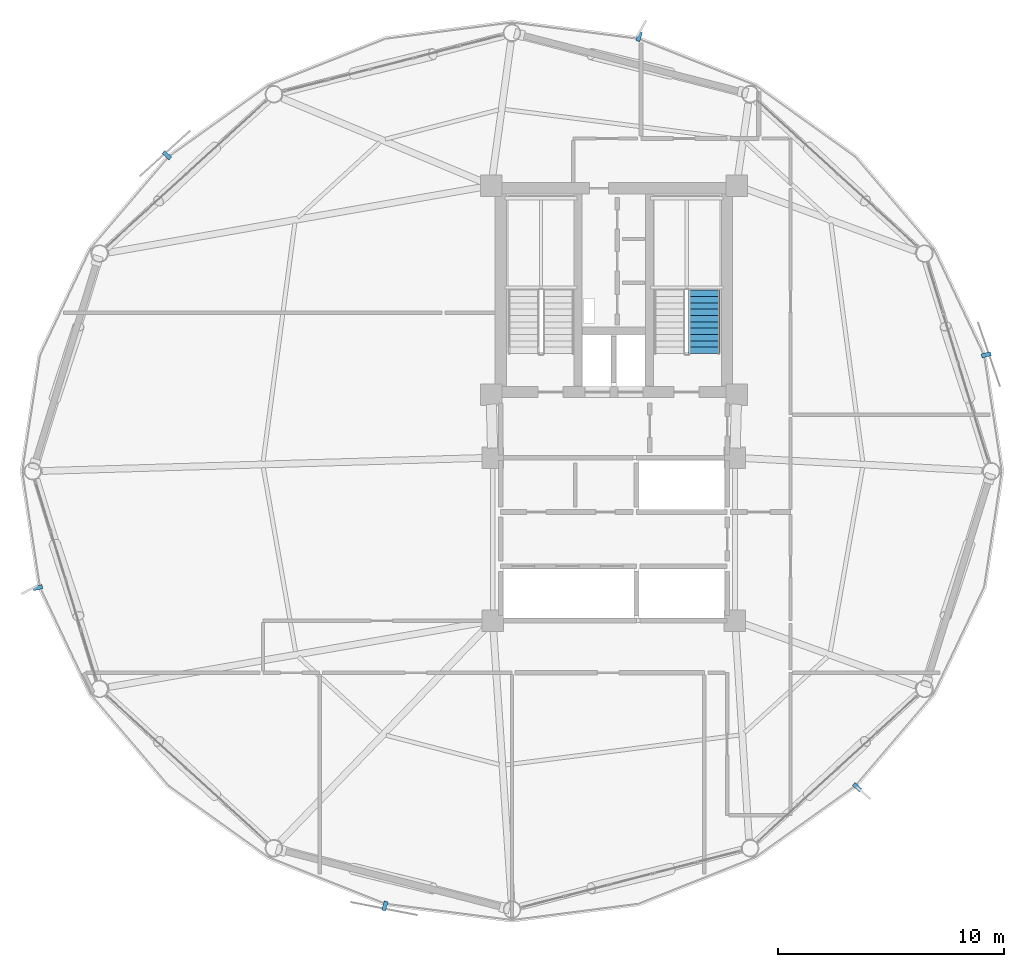
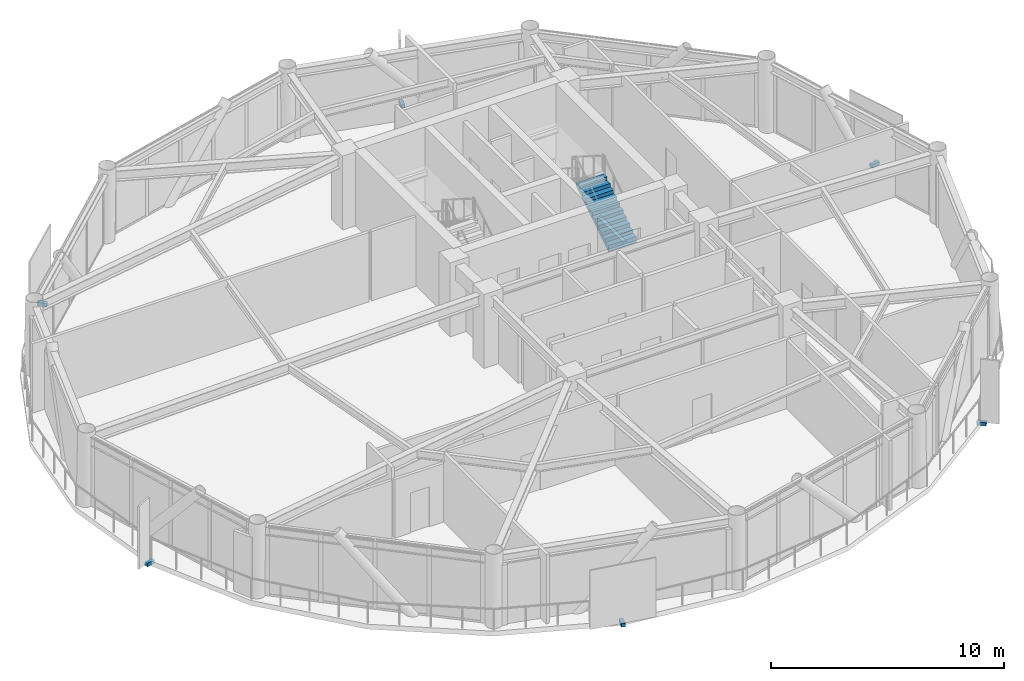
# One storey, part 22 of 25: 6 discrete accessories, 1 stair flight, 1 element without a shape of its own.
"""IFC4 building model written with IfcOpenShell, lengths in metres."""

from ifc_helpers import new_model, si_unit, direction, frame, origin, origin_2d, place, context, subcontext, project, spatial, polyline, rectangle, outline, extrude, source, transform, mapped, material, type_object, type_shapes, element, aggregate, save


model = new_model("IFC4")

# Units and contexts
model_context = context("Model", 3, precision=1e-05, world=origin(), true_north=direction((0.0, 1.0)))
body_context = subcontext(model_context, "Body", "Model", "MODEL_VIEW")
ifc_project = project(units=[si_unit("LENGTHUNIT", "METRE"), si_unit("AREAUNIT", "SQUARE_METRE"), si_unit("VOLUMEUNIT", "CUBIC_METRE"), si_unit("PLANEANGLEUNIT", "RADIAN"), si_unit("MASSUNIT", "GRAM", prefix="KILO")], contexts=[model_context])

# Site, building, storey
site_placement = place(None, origin())
site = spatial("IfcSite", under=ifc_project, at=site_placement, CompositionType="ELEMENT")
building_placement = place(site_placement, origin())
building = spatial("IfcBuilding", under=site, at=building_placement, Name="Varnakorn Sky Granary", CompositionType="ELEMENT")
storey_placement = place(building_placement, frame((0.0, 0.0, 126.60009765625)))
storey = spatial("IfcBuildingStorey", under=building, at=storey_placement, Name="L31", CompositionType="ELEMENT", Elevation=126.60009765625)

# Stair, stair flight
ifc_material_1 = material(Name="Concrete C40/50", Category="concrete")
stair_type = type_object("IfcStairType", Name="ST-MAIN-ASSEMBLY", PredefinedType="HALF_TURN_STAIR", material=ifc_material_1)
stair_placement = place(storey_placement, origin())
stair = element("IfcStair", 1, at=stair_placement, inside=storey, type_object=stair_type, Name="L31 Protected Exit Stair ST-2", PredefinedType="HALF_TURN_STAIR")
stair_flight_type = type_object("IfcStairFlightType", Name="ST-MAIN-FLIGHT", PredefinedType="STRAIGHT", material=ifc_material_1)
stair_flight_placement = place(storey_placement, frame((6.989990234375, 5.199951171875, 0.0), z_axis=(0.0, 0.0, 1.0), x_axis=(0.0, 1.0, 0.0)))
stair_flight = element("IfcStairFlight", 2, at=stair_flight_placement, type_object=stair_flight_type, Name="ST-2 flight 1", NumberOfRisers=11, NumberOfTreads=10, PredefinedType="STRAIGHT", RiserHeight=0.177272727, TreadLength=0.28, context=body_context, shape_type="SweptSolid", body=[
    extrude(outline(polyline([(0.0, -0.14990234375), (0.0, 0.0), (0.0, 0.17724609375), (0.280029296875, 0.17724609375), (0.280029296875, 0.3544921875), (0.56005859375, 0.3544921875), (0.56005859375, 0.53173828125), (0.840087890625, 0.53173828125), (0.840087890625, 0.708984375), (1.1201171875, 0.708984375), (1.1201171875, 0.886474609375), (1.39990234375, 0.886474609375), (1.39990234375, 1.063720703125), (1.679931640625, 1.063720703125), (1.679931640625, 1.240966796875), (1.9599609375, 1.240966796875), (1.9599609375, 1.418212890625), (2.239990234375, 1.418212890625), (2.239990234375, 1.595458984375), (2.52001953125, 1.595458984375), (2.52001953125, 1.772705078125), (2.800048828125, 1.772705078125), (2.800048828125, 1.949951171875), (2.800048828125, 1.59521484375), (0.050048828125, -0.14990234375), (0.0, -0.14990234375)])), frame((0.0, 0.68994140625, 0.0), z_axis=(0.0, -1.0, 0.0), x_axis=(1.0, 0.0, 0.0)), (0.0, 0.0, 1.0), 1.3798828125),
])
aggregate(stair, [stair_flight])

# Discrete accessories
ifc_material_2 = material(Name="Steel S355JR", Category="steel")
discrete_accessory_type = type_object("IfcDiscreteAccessoryType", Name="AC-BRK-01", PredefinedType="BRACKET", material=ifc_material_2)
shared_shape = source(origin(), body_context, "Body", "SweptSolid", [
    extrude(rectangle(XDim=0.179931640625, YDim=0.419921875, at=origin_2d()), origin(), (0.0, 0.0, 1.0), 0.179931640625),
])
type_shapes(discrete_accessory_type, [shared_shape])
for number, where, z_axis, x_axis, name in (
    (3, (19.44970703125, 5.142578125, -0.2001953125), (0.0, 0.0, 1.0), (-0.238397159443, 0.971167747801, 0.0), "Facade Solar-Screen Outrigger Bracket L31-01"),
    (4, (4.115966796875, 19.200927734375, -0.2001953125), (0.0, 0.0, 1.0), (-0.959789701348, 0.280720019213, 0.0), "Facade Solar-Screen Outrigger Bracket L31-03"),
    (5, (-16.743896484375, 13.957275390625, -0.2001953125), (0.0, 0.0, 1.0), (-0.675297433803, -0.73754550768, 0.0), "Facade Solar-Screen Outrigger Bracket L31-05"),
    (6, (-22.44970703125, -5.142578125, -0.2001953125), (0.0, 0.0, 1.0), (0.238397159443, -0.971167747801, 0.0), "Facade Solar-Screen Outrigger Bracket L31-07"),
    (7, (-7.115966796875, -19.200927734375, -0.2001953125), (0.0, 0.0, 1.0), (0.959789701348, -0.280720019213, 0.0), "Facade Solar-Screen Outrigger Bracket L31-09"),
    (8, (13.743896484375, -13.957275390625, -0.2001953125), (0.0, 0.0, 1.0), (0.675297433803, 0.73754550768, 0.0), "Facade Solar-Screen Outrigger Bracket L31-11"),
):
    element("IfcDiscreteAccessory", number, at=place(storey_placement, frame(where, z_axis=z_axis, x_axis=x_axis)), inside=storey, type_object=discrete_accessory_type, Name=name, PredefinedType="BRACKET", context=body_context, shape_type="MappedRepresentation", body=[
        mapped(shared_shape, transform((0.0, 0.0, 0.0), x_axis=(1.0, 0.0, 0.0), y_axis=(0.0, 1.0, 0.0), z_axis=(0.0, 0.0, 1.0), scale=1.0)),
    ])

save(model, "model.ifc")
